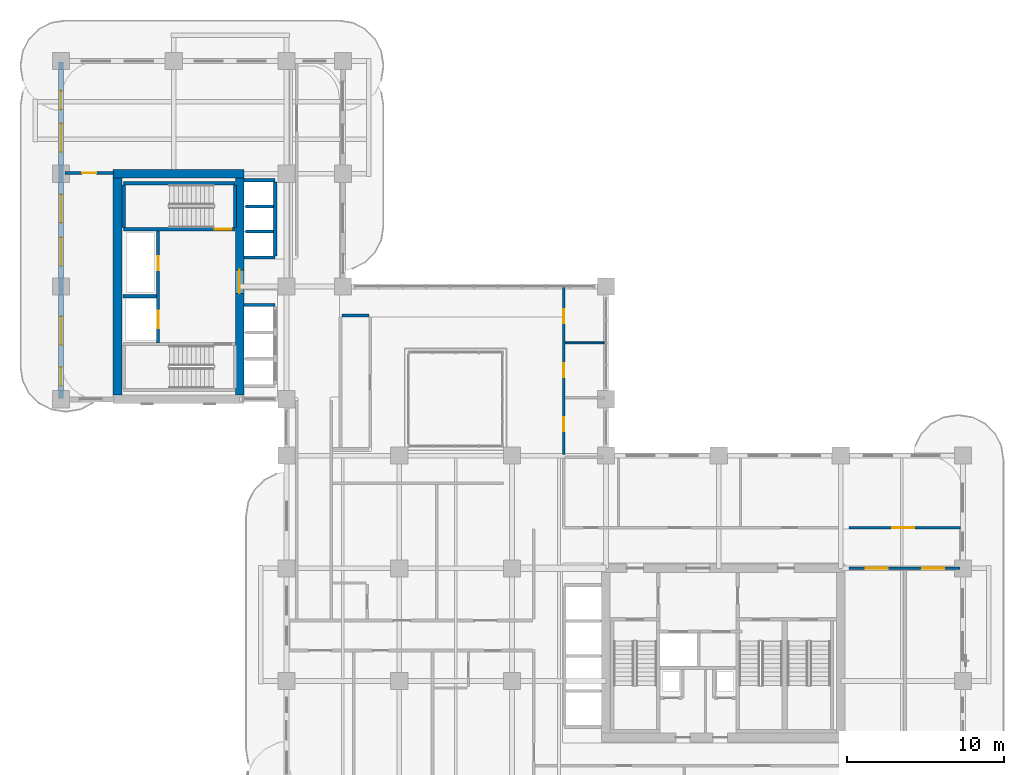
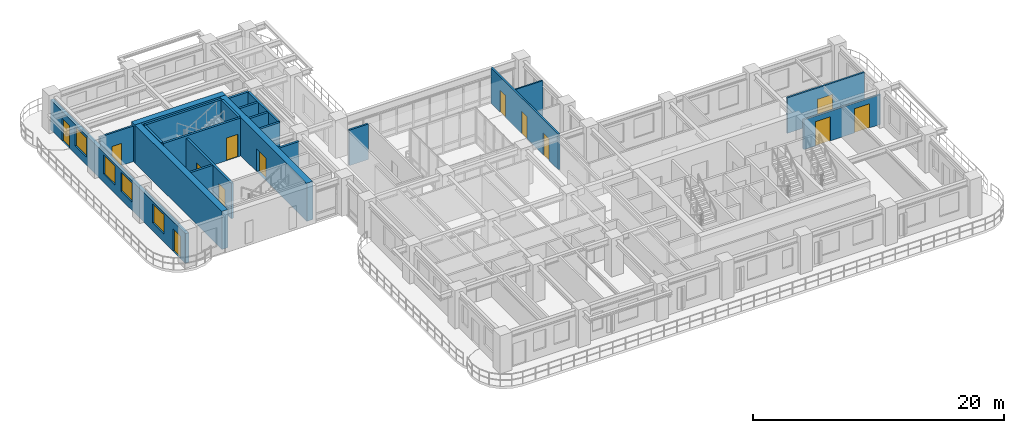
# One storey, part 16 of 22: 22 walls, 13 doors, 4 windows, 17 openings.
"""IFC4 building model written with IfcOpenShell, lengths in metres."""

from ifc_helpers import new_model, si_unit, derived_unit, direction, frame, frame_2d, origin, place, context, subcontext, project, spatial, rectangle, extrude, source, transform, mapped, material, layer, layer_set, type_object, type_shapes, element, fill, save


model = new_model("IFC4")

# Units and contexts
model_context = context("Model", 3, precision=1e-05, world=origin(), true_north=direction((0.0, 1.0)))
body_context = subcontext(model_context, "Body", "Model", "MODEL_VIEW")
ifc_project = project(units=[si_unit("LENGTHUNIT", "METRE"), si_unit("AREAUNIT", "SQUARE_METRE"), si_unit("VOLUMEUNIT", "CUBIC_METRE"), si_unit("PLANEANGLEUNIT", "RADIAN"), si_unit("MASSUNIT", "GRAM", prefix="KILO"), si_unit("THERMODYNAMICTEMPERATUREUNIT", "KELVIN"), si_unit("POWERUNIT", "WATT"), derived_unit("THERMALTRANSMITTANCEUNIT", [(si_unit("POWERUNIT", "WATT"), 1), (si_unit("AREAUNIT", "SQUARE_METRE"), -1), (si_unit("THERMODYNAMICTEMPERATUREUNIT", "KELVIN"), -1)])], contexts=[model_context])

# Site, building, storey
site_placement = place(None, origin())
site = spatial("IfcSite", under=ifc_project, at=site_placement, CompositionType="ELEMENT")
building_placement = place(site_placement, origin())
building = spatial("IfcBuilding", under=site, at=building_placement, Name="Zahravan Archway Hotel and Residences", CompositionType="ELEMENT")
storey_placement = place(building_placement, frame((0.0, 0.0, 99.0)))
storey = spatial("IfcBuildingStorey", under=building, at=storey_placement, Name="L24", CompositionType="ELEMENT", Elevation=99.0)

# Walls
ifc_material_1 = material(Name="Concrete C70/85", Category="concrete")
ifc_layer_1 = layer(ifc_material_1, 0.550048828125, Name="Concrete C70/85", Category="concrete")
ifc_layer_set_1 = layer_set([ifc_layer_1], Name="Concrete C70/85")
wall_type_1 = type_object("IfcWallType", Name="CW-CORE-550", PredefinedType="SHEAR", material=ifc_layer_set_1)
wall_1_placement = place(storey_placement, frame((3.324951171875, 39.60009765625, 0.0), z_axis=(0.0, 0.0, 1.0), x_axis=(1.0, 0.0, 0.0)))
element("IfcWall", 1, at=wall_1_placement, inside=storey, type_object=wall_type_1, Name="L24 Core B Shear N Wall 550 mm", PredefinedType="SHEAR", context=body_context, shape_type="SweptSolid", body=[
    extrude(rectangle(XDim=8.35009765625, YDim=0.550048828125, at=frame_2d((4.175048828125, 0.0))), origin(), (0.0, 0.0, 1.0), 3.699951171875),
])
wall_2_placement = place(storey_placement, frame((3.60009765625, 25.47509765625, 0.0), z_axis=(0.0, 0.0, 1.0), x_axis=(0.0, 1.0, 0.0)))
element("IfcWall", 2, at=wall_2_placement, inside=storey, type_object=wall_type_1, Name="L24 Core B Shear W Wall 550 mm", PredefinedType="SHEAR", context=body_context, shape_type="SweptSolid", body=[
    extrude(rectangle(XDim=13.849853515625, YDim=0.550048828125, at=frame_2d((6.9248046875, 0.0))), origin(), (0.0, 0.0, 1.0), 3.699951171875),
])

# Wall, opening, door
wall_3_placement = place(storey_placement, frame((11.39990234375, 25.47509765625, 0.0), z_axis=(0.0, 0.0, 1.0), x_axis=(0.0, 1.0, 0.0)))
wall_3 = element("IfcWall", 3, at=wall_3_placement, inside=storey, type_object=wall_type_1, Name="L24 Core B Shear E Wall 550 mm", PredefinedType="SHEAR", context=body_context, shape_type="SweptSolid", body=[
    extrude(rectangle(XDim=13.849853515625, YDim=0.550048828125, at=frame_2d((6.9248046875, 0.0))), origin(), (0.0, 0.0, 1.0), 3.699951171875),
])
opening_1_placement = place(wall_3_placement, frame((6.4951171875, 0.0, 0.0)))
opening_1 = element("IfcOpeningElement", 4, at=opening_1_placement, cuts=wall_3, Name="Opening FD-L1", PredefinedType="OPENING", context=body_context, shape_type="SweptSolid", body=[
    extrude(rectangle(XDim=1.5, YDim=2.199951171875, at=frame_2d((0.75, 1.10009765625))), frame((0.0, 0.28515625, 0.0), z_axis=(0.0, -1.0, 0.0), x_axis=(1.0, 0.0, 0.0)), (0.0, 0.0, 1.0), 0.570068359375),
])
ifc_material_2 = material(Name="Fire-Rated Painted Steel", Category="steel")
door_type_1 = type_object("IfcDoorType", Name="FD-LOBBY-1500", OperationType="DOUBLE_DOOR_SINGLE_SWING", PredefinedType="DOOR", material=ifc_material_2)
shared_shape_1 = source(origin(), body_context, "Body", "SweptSolid", [
    extrude(rectangle(XDim=1.5, YDim=2.199951171875, at=frame_2d((0.75, 1.10009765625))), frame((0.0, 0.02490234375, 0.0), z_axis=(0.0, -1.0, 0.0), x_axis=(1.0, 0.0, 0.0)), (0.0, 0.0, 1.0), 0.050048828125),
])
type_shapes(door_type_1, [shared_shape_1])
door_1_placement = place(opening_1_placement, origin())
door_1 = element("IfcDoor", 5, at=door_1_placement, inside=storey, type_object=door_type_1, Name="L24 Core B FSAE Lobby Door", OperationType="DOUBLE_DOOR_SINGLE_SWING", OverallHeight=2.199951171875, OverallWidth=1.5, PredefinedType="DOOR", context=body_context, shape_type="MappedRepresentation", body=[
    mapped(shared_shape_1, transform((0.0, 0.0, 0.0), scale=1.0)),
])
fill(opening_1, door_1)

# Wall, openings, doors, windows
ifc_material_3 = material(Name="Agra Buff Sandstone & Insulated Backup", Category="masonry")
ifc_layer_2 = layer(ifc_material_3, 0.320068359375, Name="Agra Buff Sandstone & Insulated Backup", Category="masonry")
ifc_layer_set_2 = layer_set([ifc_layer_2], Name="Agra Buff Sandstone & Insulated Backup")
wall_type_2 = type_object("IfcWallType", Name="EW-SAND-320", PredefinedType="SOLIDWALL", material=ifc_layer_set_2)
wall_4_placement = place(storey_placement, frame((0.0, 25.25, 0.0), z_axis=(0.0, 0.0, 1.0), x_axis=(0.0, 1.0, 0.0)))
wall_4 = element("IfcWall", 6, at=wall_4_placement, inside=storey, type_object=wall_type_2, Name="L24 Exterior Sandstone Wall WB-W", PredefinedType="SOLIDWALL", context=body_context, shape_type="SweptSolid", body=[
    extrude(rectangle(XDim=21.5, YDim=0.320068359375, at=frame_2d((10.75, 0.0))), origin(), (0.0, 0.0, 1.0), 2.885009765625),
])
opening_2_placement = place(wall_4_placement, frame((18.449951171875, 0.0, 0.0)))
opening_2 = element("IfcOpeningElement", 7, at=opening_2_placement, cuts=wall_4, Name="Opening ED-BL1", PredefinedType="OPENING", context=body_context, shape_type="SweptSolid", body=[
    extrude(rectangle(XDim=1.199951171875, YDim=2.199951171875, at=frame_2d((0.60009765625, 1.10009765625))), frame((0.0, 0.169921875, 0.0), z_axis=(0.0, -1.0, 0.0), x_axis=(1.0, 0.0, 0.0)), (0.0, 0.0, 1.0), 0.340087890625),
])
opening_3_placement = place(wall_4_placement, frame((0.800048828125, 0.0, 0.0)))
opening_3 = element("IfcOpeningElement", 8, at=opening_3_placement, cuts=wall_4, Name="Opening ED-BL1", PredefinedType="OPENING", context=body_context, shape_type="SweptSolid", body=[
    extrude(rectangle(XDim=1.199951171875, YDim=2.199951171875, at=frame_2d((0.60009765625, 1.10009765625))), frame((0.0, 0.169921875, 0.0), z_axis=(0.0, -1.0, 0.0), x_axis=(1.0, 0.0, 0.0)), (0.0, 0.0, 1.0), 0.340087890625),
])
opening_4_placement = place(wall_4_placement, frame((3.425048828125, 0.0, 0.800048828125)))
opening_4 = element("IfcOpeningElement", 9, at=opening_4_placement, cuts=wall_4, Name="Opening W-02", PredefinedType="OPENING", context=body_context, shape_type="SweptSolid", body=[
    extrude(rectangle(XDim=1.800048828125, YDim=1.85009765625, at=frame_2d((0.89990234375, 0.925048828125))), frame((0.0, 0.169921875, 0.0), z_axis=(0.0, -1.0, 0.0), x_axis=(1.0, 0.0, 0.0)), (0.0, 0.0, 1.0), 0.340087890625),
])
opening_5_placement = place(wall_4_placement, frame((8.47509765625, 0.0, 0.800048828125)))
opening_5 = element("IfcOpeningElement", 10, at=opening_5_placement, cuts=wall_4, Name="Opening W-02", PredefinedType="OPENING", context=body_context, shape_type="SweptSolid", body=[
    extrude(rectangle(XDim=1.800048828125, YDim=1.85009765625, at=frame_2d((0.89990234375, 0.925048828125))), frame((0.0, 0.169921875, 0.0), z_axis=(0.0, -1.0, 0.0), x_axis=(1.0, 0.0, 0.0)), (0.0, 0.0, 1.0), 0.340087890625),
])
opening_6_placement = place(wall_4_placement, frame((11.22509765625, 0.0, 0.800048828125)))
opening_6 = element("IfcOpeningElement", 11, at=opening_6_placement, cuts=wall_4, Name="Opening W-02", PredefinedType="OPENING", context=body_context, shape_type="SweptSolid", body=[
    extrude(rectangle(XDim=1.800048828125, YDim=1.85009765625, at=frame_2d((0.89990234375, 0.925048828125))), frame((0.0, 0.169921875, 0.0), z_axis=(0.0, -1.0, 0.0), x_axis=(1.0, 0.0, 0.0)), (0.0, 0.0, 1.0), 0.340087890625),
])
opening_7_placement = place(wall_4_placement, frame((15.75, 0.0, 0.800048828125)))
opening_7 = element("IfcOpeningElement", 12, at=opening_7_placement, cuts=wall_4, Name="Opening W-02", PredefinedType="OPENING", context=body_context, shape_type="SweptSolid", body=[
    extrude(rectangle(XDim=1.800048828125, YDim=1.85009765625, at=frame_2d((0.89990234375, 0.925048828125))), frame((0.0, 0.169921875, 0.0), z_axis=(0.0, -1.0, 0.0), x_axis=(1.0, 0.0, 0.0)), (0.0, 0.0, 1.0), 0.340087890625),
])
ifc_material_4 = material(Name="Bronze-Anodized Glazed Aluminium", Category="aluminium")
door_type_2 = type_object("IfcDoorType", Name="ED-BALC-1200", OperationType="SLIDING_TO_LEFT", PredefinedType="DOOR", material=ifc_material_4)
shared_shape_2 = source(origin(), body_context, "Body", "SweptSolid", [
    extrude(rectangle(XDim=1.199951171875, YDim=2.199951171875, at=frame_2d((0.60009765625, 1.10009765625))), frame((0.0, 0.02490234375, 0.0), z_axis=(0.0, -1.0, 0.0), x_axis=(1.0, 0.0, 0.0)), (0.0, 0.0, 1.0), 0.050048828125),
])
type_shapes(door_type_2, [shared_shape_2])
door_2_placement = place(opening_2_placement, origin())
door_2 = element("IfcDoor", 13, at=door_2_placement, inside=storey, type_object=door_type_2, Name="L24 Outdoor Access Sliding Door (SLB-BAL-L24-NB)", OperationType="SLIDING_TO_LEFT", OverallHeight=2.199951171875, OverallWidth=1.199951171875, PredefinedType="DOOR", context=body_context, shape_type="MappedRepresentation", body=[
    mapped(shared_shape_2, transform((0.0, 0.0, 0.0), scale=1.0)),
])
fill(opening_2, door_2)
door_3_placement = place(opening_3_placement, origin())
door_3 = element("IfcDoor", 14, at=door_3_placement, inside=storey, type_object=door_type_2, Name="L24 Outdoor Access Sliding Door (SLB-BAL-L24-WB)", OperationType="SLIDING_TO_LEFT", OverallHeight=2.199951171875, OverallWidth=1.199951171875, PredefinedType="DOOR", context=body_context, shape_type="MappedRepresentation", body=[
    mapped(shared_shape_2, transform((0.0, 0.0, 0.0), scale=1.0)),
])
fill(opening_3, door_3)
ifc_material_5 = material(Name="Bronze-Anodized Thermal-Break Aluminium & Low-E Glass", Category="aluminium")
window_type = type_object("IfcWindowType", Name="WIN-TWR-1800", PartitioningType="DOUBLE_PANEL_VERTICAL", PredefinedType="WINDOW", material=ifc_material_5)
shared_shape_3 = source(origin(), body_context, "Body", "SweptSolid", [
    extrude(rectangle(XDim=1.800048828125, YDim=1.85009765625, at=frame_2d((0.89990234375, 0.925048828125))), frame((0.0, 0.030029296875, 0.0), z_axis=(0.0, -1.0, 0.0), x_axis=(1.0, 0.0, 0.0)), (0.0, 0.0, 1.0), 0.06005859375),
])
type_shapes(window_type, [shared_shape_3])
window_1_placement = place(opening_4_placement, origin())
window_1 = element("IfcWindow", 15, at=window_1_placement, inside=storey, type_object=window_type, Name="L24 Loggia Window 30", OverallHeight=1.85009765625, OverallWidth=1.800048828125, PartitioningType="DOUBLE_PANEL_VERTICAL", PredefinedType="WINDOW", context=body_context, shape_type="MappedRepresentation", body=[
    mapped(shared_shape_3, transform((0.0, 0.0, 0.0), scale=1.0)),
])
fill(opening_4, window_1)
window_2_placement = place(opening_5_placement, origin())
window_2 = element("IfcWindow", 16, at=window_2_placement, inside=storey, type_object=window_type, Name="L24 Loggia Window 31", OverallHeight=1.85009765625, OverallWidth=1.800048828125, PartitioningType="DOUBLE_PANEL_VERTICAL", PredefinedType="WINDOW", context=body_context, shape_type="MappedRepresentation", body=[
    mapped(shared_shape_3, transform((0.0, 0.0, 0.0), scale=1.0)),
])
fill(opening_5, window_2)
window_3_placement = place(opening_6_placement, origin())
window_3 = element("IfcWindow", 17, at=window_3_placement, inside=storey, type_object=window_type, Name="L24 Loggia Window 32", OverallHeight=1.85009765625, OverallWidth=1.800048828125, PartitioningType="DOUBLE_PANEL_VERTICAL", PredefinedType="WINDOW", context=body_context, shape_type="MappedRepresentation", body=[
    mapped(shared_shape_3, transform((0.0, 0.0, 0.0), scale=1.0)),
])
fill(opening_6, window_3)
window_4_placement = place(opening_7_placement, origin())
window_4 = element("IfcWindow", 18, at=window_4_placement, inside=storey, type_object=window_type, Name="L24 Loggia Window 33", OverallHeight=1.85009765625, OverallWidth=1.800048828125, PartitioningType="DOUBLE_PANEL_VERTICAL", PredefinedType="WINDOW", context=body_context, shape_type="MappedRepresentation", body=[
    mapped(shared_shape_3, transform((0.0, 0.0, 0.0), scale=1.0)),
])
fill(opening_7, window_4)

# Wall, opening, door
ifc_material_6 = material(Name="Fire-Rated Gypsum & Concrete Block", Category="concrete")
ifc_layer_3 = layer(ifc_material_6, 0.159912109375, Name="Fire-Rated Gypsum & Concrete Block", Category="concrete")
ifc_layer_set_3 = layer_set([ifc_layer_3], Name="Fire-Rated Gypsum & Concrete Block")
wall_type_3 = type_object("IfcWallType", Name="PW-CORR-160", PredefinedType="PARTITIONING", material=ifc_layer_set_3)
wall_5_placement = place(storey_placement, frame((50.340087890625, 17.0, 0.0), z_axis=(0.0, 0.0, 1.0), x_axis=(1.0, 0.0, 0.0)))
wall_5 = element("IfcWall", 19, at=wall_5_placement, inside=storey, type_object=wall_type_3, Name="L24 Partition EA-PN", PredefinedType="PARTITIONING", context=body_context, shape_type="SweptSolid", body=[
    extrude(rectangle(XDim=7.091796875, YDim=0.159912109375, at=frame_2d((3.5458984375, 0.0))), origin(), (0.0, 0.0, 1.0), 3.449951171875),
])
opening_8_placement = place(wall_5_placement, frame((2.760009765625, 0.0, 0.0)))
opening_8 = element("IfcOpeningElement", 20, at=opening_8_placement, cuts=wall_5, Name="Opening D-P1", PredefinedType="OPENING", context=body_context, shape_type="SweptSolid", body=[
    extrude(rectangle(XDim=1.39990234375, YDim=2.35009765625, at=frame_2d((0.699951171875, 1.175048828125))), frame((0.0, 0.08984375, 0.0), z_axis=(0.0, -1.0, 0.0), x_axis=(1.0, 0.0, 0.0)), (0.0, 0.0, 1.0), 0.179931640625),
])
door_type_3 = type_object("IfcDoorType", Name="ID-PUBLIC-1400", OperationType="DOUBLE_DOOR_SINGLE_SWING", PredefinedType="DOOR", material=ifc_material_4)
shared_shape_4 = source(origin(), body_context, "Body", "SweptSolid", [
    extrude(rectangle(XDim=1.39990234375, YDim=2.35009765625, at=frame_2d((0.699951171875, 1.175048828125))), frame((0.0, 0.02490234375, 0.0), z_axis=(0.0, -1.0, 0.0), x_axis=(1.0, 0.0, 0.0)), (0.0, 0.0, 1.0), 0.050048828125),
])
type_shapes(door_type_3, [shared_shape_4])
door_4_placement = place(opening_8_placement, origin())
door_4 = element("IfcDoor", 21, at=door_4_placement, inside=storey, type_object=door_type_3, Name="L24 East Fitness Studio Door", OperationType="DOUBLE_DOOR_SINGLE_SWING", OverallHeight=2.35009765625, OverallWidth=1.39990234375, PredefinedType="DOOR", context=body_context, shape_type="MappedRepresentation", body=[
    mapped(shared_shape_4, transform((0.0, 0.0, 0.0), scale=1.0)),
])
fill(opening_8, door_4)

# Wall
ifc_material_7 = material(Name="Acoustic Stud Partition")
ifc_layer_4 = layer(ifc_material_7, 0.125, Name="Acoustic Stud Partition")
ifc_layer_set_4 = layer_set([ifc_layer_4], Name="Acoustic Stud Partition")
wall_type_4 = type_object("IfcWallType", Name="PW-INT-125", PredefinedType="PARTITIONING", material=ifc_layer_set_4)
wall_6_placement = place(storey_placement, frame((32.18994140625, 28.800048828125, 0.0), z_axis=(0.0, 0.0, 1.0), x_axis=(1.0, 0.0, 0.0)))
element("IfcWall", 22, at=wall_6_placement, inside=storey, type_object=wall_type_4, Name="L24 Partition ATR-EM3B", PredefinedType="PARTITIONING", context=body_context, shape_type="SweptSolid", body=[
    extrude(rectangle(XDim=2.5, YDim=0.125, at=frame_2d((1.25, 0.0))), origin(), (0.0, 0.0, 1.0), 3.449951171875),
])

# Wall, openings, doors
ifc_layer_5 = layer(ifc_material_6, 0.199951171875, Name="Fire-Rated Gypsum & Concrete Block", Category="concrete")
ifc_layer_set_5 = layer_set([ifc_layer_5], Name="Fire-Rated Gypsum & Concrete Block")
wall_type_5 = type_object("IfcWallType", Name="PW-SHAFT-200", PredefinedType="PARTITIONING", material=ifc_layer_set_5)
wall_7_placement = place(storey_placement, frame((6.199951171875, 28.7900390625, 0.0), z_axis=(0.0, 0.0, 1.0), x_axis=(0.0, 1.0, 0.0)))
wall_7 = element("IfcWall", 23, at=wall_7_placement, inside=storey, type_object=wall_type_5, Name="L24 Partition CB-FL3E", PredefinedType="PARTITIONING", context=body_context, shape_type="SweptSolid", body=[
    extrude(rectangle(XDim=7.219970703125, YDim=0.199951171875, at=frame_2d((3.60986328125, 0.0))), origin(), (0.0, 0.0, 1.0), 3.449951171875),
])
opening_9_placement = place(wall_7_placement, frame((4.659912109375, 0.0, 0.0)))
opening_9 = element("IfcOpeningElement", 24, at=opening_9_placement, cuts=wall_7, Name="Opening FD-R1", PredefinedType="OPENING", context=body_context, shape_type="SweptSolid", body=[
    extrude(rectangle(XDim=0.89990234375, YDim=2.10009765625, at=frame_2d((0.449951171875, 1.050048828125))), frame((0.0, 0.10986328125, 0.0), z_axis=(0.0, -1.0, 0.0), x_axis=(1.0, 0.0, 0.0)), (0.0, 0.0, 1.0), 0.219970703125),
])
opening_10_placement = place(wall_7_placement, frame((0.9599609375, 0.0, 0.0)))
opening_10 = element("IfcOpeningElement", 25, at=opening_10_placement, cuts=wall_7, Name="Opening LD", PredefinedType="OPENING", context=body_context, shape_type="SweptSolid", body=[
    extrude(rectangle(XDim=1.10009765625, YDim=2.199951171875, at=frame_2d((0.550048828125, 1.10009765625))), frame((0.0, 0.10986328125, 0.0), z_axis=(0.0, -1.0, 0.0), x_axis=(1.0, 0.0, 0.0)), (0.0, 0.0, 1.0), 0.219970703125),
])
door_type_4 = type_object("IfcDoorType", Name="FD-RISER-900", OperationType="NOTDEFINED", PredefinedType="DOOR", material=ifc_material_2)
shared_shape_5 = source(origin(), body_context, "Body", "SweptSolid", [
    extrude(rectangle(XDim=0.89990234375, YDim=2.10009765625, at=frame_2d((0.449951171875, 1.050048828125))), frame((0.0, 0.02490234375, 0.0), z_axis=(0.0, -1.0, 0.0), x_axis=(1.0, 0.0, 0.0)), (0.0, 0.0, 1.0), 0.050048828125),
])
type_shapes(door_type_4, [shared_shape_5])
door_5_placement = place(opening_9_placement, origin())
door_5 = element("IfcDoor", 26, at=door_5_placement, inside=storey, type_object=door_type_4, Name="L24 Core B Riser Door", OperationType="SINGLE_SWING_RIGHT", OverallHeight=2.10009765625, OverallWidth=0.89990234375, PredefinedType="DOOR", context=body_context, shape_type="MappedRepresentation", body=[
    mapped(shared_shape_5, transform((0.0, 0.0, 0.0), scale=1.0)),
])
fill(opening_9, door_5)
ifc_material_8 = material(Name="Brushed Stainless Steel", Category="steel")
door_type_5 = type_object("IfcDoorType", Name="DR-LIFT-LD", OperationType="SLIDING_TO_LEFT", PredefinedType="DOOR", material=ifc_material_8)
shared_shape_6 = source(origin(), body_context, "Body", "SweptSolid", [
    extrude(rectangle(XDim=1.10009765625, YDim=2.199951171875, at=frame_2d((0.550048828125, 1.10009765625))), frame((0.0, 0.02490234375, 0.0), z_axis=(0.0, -1.0, 0.0), x_axis=(1.0, 0.0, 0.0)), (0.0, 0.0, 1.0), 0.050048828125),
])
type_shapes(door_type_5, [shared_shape_6])
door_6_placement = place(opening_10_placement, origin())
door_6 = element("IfcDoor", 27, at=door_6_placement, inside=storey, type_object=door_type_5, Name="L24 Lift FL-3 Sliding Landing Door", OperationType="SLIDING_TO_LEFT", OverallHeight=2.199951171875, OverallWidth=1.10009765625, PredefinedType="DOOR", context=body_context, shape_type="MappedRepresentation", body=[
    mapped(shared_shape_6, transform((0.0, 0.0, 0.0), scale=1.0)),
])
fill(opening_10, door_6)

# Walls
wall_8_placement = place(storey_placement, frame((3.9599609375, 31.780029296875, 0.0), z_axis=(0.0, 0.0, 1.0), x_axis=(1.0, 0.0, 0.0)))
element("IfcWall", 28, at=wall_8_placement, inside=storey, type_object=wall_type_5, Name="L24 Partition CB-FL3N", PredefinedType="PARTITIONING", context=body_context, shape_type="SweptSolid", body=[
    extrude(rectangle(XDim=2.130126953125, YDim=0.199951171875, at=frame_2d((1.06494140625, 0.0))), origin(), (0.0, 0.0, 1.0), 3.449951171875),
])
for number, where, z_axis, x_axis, name in (
    (29, (11.68505859375, 31.2099609375, 0.0), (0.0, 0.0, 1.0), (1.0, 0.0, 0.0), "L24 Partition B1-N"),
    (30, (11.68505859375, 34.25, 0.0), (0.0, 0.0, 1.0), (1.0, 0.0, 0.0), "L24 Partition B2-S"),
    (31, (11.68505859375, 39.18994140625, 0.0), (0.0, 0.0, 1.0), (1.0, 0.0, 0.0), "L24 Partition B2-N"),
):
    element("IfcWall", number, at=place(storey_placement, frame(where, z_axis=z_axis, x_axis=x_axis)), inside=storey, type_object=wall_type_5, Name=name, PredefinedType="PARTITIONING", context=body_context, shape_type="SweptSolid", body=[
        extrude(rectangle(XDim=1.98486328125, YDim=0.199951171875, at=frame_2d((0.992431640625, 0.0))), origin(), (0.0, 0.0, 1.0), 3.449951171875),
    ])
wall_9_placement = place(storey_placement, frame((13.679931640625, 34.360107421875, 0.0), z_axis=(0.0, 0.0, 1.0), x_axis=(0.0, 1.0, 0.0)))
element("IfcWall", 32, at=wall_9_placement, inside=storey, type_object=wall_type_5, Name="L24 Partition B2-E", PredefinedType="PARTITIONING", context=body_context, shape_type="SweptSolid", body=[
    extrude(rectangle(XDim=4.719970703125, YDim=0.199951171875, at=frame_2d((2.35986328125, 0.0))), origin(), (0.0, 0.0, 1.0), 3.449951171875),
])
for number, where, z_axis, x_axis, name in (
    (33, (11.784912109375, 35.919921875, 0.0), (0.0, 0.0, 1.0), (1.0, 0.0, 0.0), "L24 Partition B2-D"),
    (34, (11.784912109375, 37.52001953125, 0.0), (0.0, 0.0, 1.0), (1.0, 0.0, 0.0), "L24 Partition B2-D"),
):
    element("IfcWall", number, at=place(storey_placement, frame(where, z_axis=z_axis, x_axis=x_axis)), inside=storey, type_object=wall_type_5, Name=name, PredefinedType="PARTITIONING", context=body_context, shape_type="SweptSolid", body=[
        extrude(rectangle(XDim=1.78515625, YDim=0.199951171875, at=frame_2d((0.892578125, 0.0))), origin(), (0.0, 0.0, 1.0), 3.449951171875),
    ])

# Wall, openings, doors
ifc_layer_6 = layer(ifc_material_7, 0.169921875, Name="Acoustic Stud Partition")
ifc_layer_set_6 = layer_set([ifc_layer_6], Name="Acoustic Stud Partition")
wall_type_6 = type_object("IfcWallType", Name="PW-UNIT-170", PredefinedType="PARTITIONING", material=ifc_layer_set_6)
wall_10_placement = place(storey_placement, frame((50.340087890625, 14.39990234375, 0.0), z_axis=(0.0, 0.0, 1.0), x_axis=(1.0, 0.0, 0.0)))
wall_10 = element("IfcWall", 35, at=wall_10_placement, inside=storey, type_object=wall_type_6, Name="L24 Partition EA-PS", PredefinedType="PARTITIONING", context=body_context, shape_type="SweptSolid", body=[
    extrude(rectangle(XDim=7.06982421875, YDim=0.169921875, at=frame_2d((3.534912109375, 0.0))), origin(), (0.0, 0.0, 1.0), 2.885009765625),
])
opening_11_placement = place(wall_10_placement, frame((1.06005859375, 0.0, 0.0)))
opening_11 = element("IfcOpeningElement", 36, at=opening_11_placement, cuts=wall_10, Name="Opening D-P1", PredefinedType="OPENING", context=body_context, shape_type="SweptSolid", body=[
    extrude(rectangle(XDim=1.39990234375, YDim=2.35009765625, at=frame_2d((0.699951171875, 1.175048828125))), frame((0.0, 0.094970703125, 0.0), z_axis=(0.0, -1.0, 0.0), x_axis=(1.0, 0.0, 0.0)), (0.0, 0.0, 1.0), 0.18994140625),
])
opening_12_placement = place(wall_10_placement, frame((4.659912109375, 0.0, 0.0)))
opening_12 = element("IfcOpeningElement", 37, at=opening_12_placement, cuts=wall_10, Name="Opening D-P1", PredefinedType="OPENING", context=body_context, shape_type="SweptSolid", body=[
    extrude(rectangle(XDim=1.39990234375, YDim=2.35009765625, at=frame_2d((0.699951171875, 1.175048828125))), frame((0.0, 0.094970703125, 0.0), z_axis=(0.0, -1.0, 0.0), x_axis=(1.0, 0.0, 0.0)), (0.0, 0.0, 1.0), 0.18994140625),
])
door_7_placement = place(opening_11_placement, origin())
door_7 = element("IfcDoor", 38, at=door_7_placement, inside=storey, type_object=door_type_3, Name="L24 East Conference Room Door", OperationType="DOUBLE_DOOR_SINGLE_SWING", OverallHeight=2.35009765625, OverallWidth=1.39990234375, PredefinedType="DOOR", context=body_context, shape_type="MappedRepresentation", body=[
    mapped(shared_shape_4, transform((0.0, 0.0, 0.0), scale=1.0)),
])
fill(opening_11, door_7)
door_8_placement = place(opening_12_placement, origin())
door_8 = element("IfcDoor", 39, at=door_8_placement, inside=storey, type_object=door_type_3, Name="L24 East Salon Door", OperationType="DOUBLE_DOOR_SINGLE_SWING", OverallHeight=2.35009765625, OverallWidth=1.39990234375, PredefinedType="DOOR", context=body_context, shape_type="MappedRepresentation", body=[
    mapped(shared_shape_4, transform((0.0, 0.0, 0.0), scale=1.0)),
])
fill(opening_12, door_8)

# Wall, opening, door
wall_11_placement = place(storey_placement, frame((0.239990234375, 39.64990234375, 0.0), z_axis=(0.0, 0.0, 1.0), x_axis=(1.0, 0.0, 0.0)))
wall_11 = element("IfcWall", 40, at=wall_11_placement, inside=storey, type_object=wall_type_6, Name="L24 Partition WBW-N", PredefinedType="PARTITIONING", context=body_context, shape_type="SweptSolid", body=[
    extrude(rectangle(XDim=3.1201171875, YDim=0.169921875, at=frame_2d((1.56005859375, 0.0))), origin(), (0.0, 0.0, 1.0), 3.449951171875),
])
opening_13_placement = place(wall_11_placement, frame((1.110107421875, 0.0, 0.0)))
opening_13 = element("IfcOpeningElement", 41, at=opening_13_placement, cuts=wall_11, Name="Opening D-I2", PredefinedType="OPENING", context=body_context, shape_type="SweptSolid", body=[
    extrude(rectangle(XDim=0.89990234375, YDim=2.14990234375, at=frame_2d((0.449951171875, 1.074951171875))), frame((0.0, 0.094970703125, 0.0), z_axis=(0.0, -1.0, 0.0), x_axis=(1.0, 0.0, 0.0)), (0.0, 0.0, 1.0), 0.18994140625),
])
ifc_material_9 = material(Name="Hardwood Veneer Timber", Category="wood")
door_type_6 = type_object("IfcDoorType", Name="ID-INT-900", OperationType="NOTDEFINED", PredefinedType="DOOR", material=ifc_material_9)
shared_shape_7 = source(origin(), body_context, "Body", "SweptSolid", [
    extrude(rectangle(XDim=0.89990234375, YDim=2.14990234375, at=frame_2d((0.449951171875, 1.074951171875))), frame((0.0, 0.02490234375, 0.0), z_axis=(0.0, -1.0, 0.0), x_axis=(1.0, 0.0, 0.0)), (0.0, 0.0, 1.0), 0.050048828125),
])
type_shapes(door_type_6, [shared_shape_7])
door_9_placement = place(opening_13_placement, origin())
door_9 = element("IfcDoor", 42, at=door_9_placement, inside=storey, type_object=door_type_6, Name="L24 West Loggia Salon Door", OperationType="SINGLE_SWING_RIGHT", OverallHeight=2.14990234375, OverallWidth=0.89990234375, PredefinedType="DOOR", context=body_context, shape_type="MappedRepresentation", body=[
    mapped(shared_shape_7, transform((0.0, 0.0, 0.0), scale=1.0)),
])
fill(opening_13, door_9)

# Wall
wall_12_placement = place(storey_placement, frame((17.93994140625, 30.550048828125, 0.0), z_axis=(0.0, 0.0, 1.0), x_axis=(1.0, 0.0, 0.0)))
element("IfcWall", 43, at=wall_12_placement, inside=storey, type_object=wall_type_6, Name="L24 Partition ATR-WLN", PredefinedType="PARTITIONING", context=body_context, shape_type="SweptSolid", body=[
    extrude(rectangle(XDim=1.719970703125, YDim=0.169921875, at=frame_2d((0.85986328125, 0.0))), origin(), (0.0, 0.0, 1.0), 3.449951171875),
])

# Wall, openings, doors
wall_13_placement = place(storey_placement, frame((32.10009765625, 21.669921875, 0.0), z_axis=(0.0, 0.0, 1.0), x_axis=(0.0, 1.0, 0.0)))
wall_13 = element("IfcWall", 44, at=wall_13_placement, inside=storey, type_object=wall_type_6, Name="L24 Partition ATR-E", PredefinedType="PARTITIONING", context=body_context, shape_type="SweptSolid", body=[
    extrude(rectangle(XDim=10.7021484375, YDim=0.169921875, at=frame_2d((5.35107421875, 0.0))), origin(), (0.0, 0.0, 1.0), 3.449951171875),
])
opening_14_placement = place(wall_13_placement, frame((1.47998046875, 0.0, 0.0)))
opening_14 = element("IfcOpeningElement", 45, at=opening_14_placement, cuts=wall_13, Name="Opening D-I2", PredefinedType="OPENING", context=body_context, shape_type="SweptSolid", body=[
    extrude(rectangle(XDim=0.89990234375, YDim=2.14990234375, at=frame_2d((0.449951171875, 1.074951171875))), frame((0.0, 0.094970703125, 0.0), z_axis=(0.0, -1.0, 0.0), x_axis=(1.0, 0.0, 0.0)), (0.0, 0.0, 1.0), 0.18994140625),
])
opening_15_placement = place(wall_13_placement, frame((4.929931640625, 0.0, 0.0)))
opening_15 = element("IfcOpeningElement", 46, at=opening_15_placement, cuts=wall_13, Name="Opening D-I2", PredefinedType="OPENING", context=body_context, shape_type="SweptSolid", body=[
    extrude(rectangle(XDim=0.89990234375, YDim=2.14990234375, at=frame_2d((0.449951171875, 1.074951171875))), frame((0.0, 0.094970703125, 0.0), z_axis=(0.0, -1.0, 0.0), x_axis=(1.0, 0.0, 0.0)), (0.0, 0.0, 1.0), 0.18994140625),
])
opening_16_placement = place(wall_13_placement, frame((8.3798828125, 0.0, 0.0)))
opening_16 = element("IfcOpeningElement", 47, at=opening_16_placement, cuts=wall_13, Name="Opening D-I2", PredefinedType="OPENING", context=body_context, shape_type="SweptSolid", body=[
    extrude(rectangle(XDim=0.89990234375, YDim=2.14990234375, at=frame_2d((0.449951171875, 1.074951171875))), frame((0.0, 0.094970703125, 0.0), z_axis=(0.0, -1.0, 0.0), x_axis=(1.0, 0.0, 0.0)), (0.0, 0.0, 1.0), 0.18994140625),
])
door_10_placement = place(opening_14_placement, origin())
door_10 = element("IfcDoor", 48, at=door_10_placement, inside=storey, type_object=door_type_6, Name="L24 Atrium Pantry Door", OperationType="SINGLE_SWING_LEFT", OverallHeight=2.14990234375, OverallWidth=0.89990234375, PredefinedType="DOOR", context=body_context, shape_type="MappedRepresentation", body=[
    mapped(shared_shape_7, transform((0.0, 0.0, 0.0), scale=1.0)),
])
fill(opening_14, door_10)
door_11_placement = place(opening_15_placement, origin())
door_11 = element("IfcDoor", 49, at=door_11_placement, inside=storey, type_object=door_type_6, Name="L24 Atrium Study Door", OperationType="SINGLE_SWING_RIGHT", OverallHeight=2.14990234375, OverallWidth=0.89990234375, PredefinedType="DOOR", context=body_context, shape_type="MappedRepresentation", body=[
    mapped(shared_shape_7, transform((0.0, 0.0, 0.0), scale=1.0)),
])
fill(opening_15, door_11)
door_12_placement = place(opening_16_placement, origin())
door_12 = element("IfcDoor", 50, at=door_12_placement, inside=storey, type_object=door_type_6, Name="L24 Atrium Clinic Door", OperationType="SINGLE_SWING_LEFT", OverallHeight=2.14990234375, OverallWidth=0.89990234375, PredefinedType="DOOR", context=body_context, shape_type="MappedRepresentation", body=[
    mapped(shared_shape_7, transform((0.0, 0.0, 0.0), scale=1.0)),
])
fill(opening_16, door_12)

# Walls
ifc_material_10 = material(Name="Concrete C50/60", Category="concrete")
ifc_layer_7 = layer(ifc_material_10, 0.199951171875, Name="Concrete C50/60", Category="concrete")
ifc_layer_set_7 = layer_set([ifc_layer_7], Name="Concrete C50/60")
wall_type_7 = type_object("IfcWallType", Name="SW-STAIR-200", PredefinedType="SHEAR", material=ifc_layer_set_7)
wall_14_placement = place(storey_placement, frame((4.0, 39.0, 0.0), z_axis=(0.0, 0.0, 1.0), x_axis=(1.0, 0.0, 0.0)))
element("IfcWall", 51, at=wall_14_placement, inside=storey, type_object=wall_type_7, Name="L24 Stairwell RC Wall CB-SB2N", PredefinedType="SHEAR", context=body_context, shape_type="SweptSolid", body=[
    extrude(rectangle(XDim=7.10009765625, YDim=0.199951171875, at=frame_2d((3.550048828125, 0.0))), origin(), (0.0, 0.0, 1.0), 3.699951171875),
])
for number, where, z_axis, x_axis, name in (
    (52, (4.0, 36.179931640625, 0.0), (0.0, 0.0, 1.0), (0.0, 1.0, 0.0), "L24 Stairwell RC Wall CB-SB2W"),
    (53, (11.10009765625, 36.179931640625, 0.0), (0.0, 0.0, 1.0), (0.0, 1.0, 0.0), "L24 Stairwell RC Wall CB-SB2E"),
):
    element("IfcWall", number, at=place(storey_placement, frame(where, z_axis=z_axis, x_axis=x_axis)), inside=storey, type_object=wall_type_7, Name=name, PredefinedType="SHEAR", context=body_context, shape_type="SweptSolid", body=[
        extrude(rectangle(XDim=2.699951171875, YDim=0.199951171875, at=frame_2d((1.35009765625, 0.0))), origin(), (0.0, 0.0, 1.0), 3.699951171875),
    ])

# Wall, opening, door
wall_15_placement = place(storey_placement, frame((4.0, 36.06005859375, 0.0), z_axis=(0.0, 0.0, 1.0), x_axis=(1.0, 0.0, 0.0)))
wall_15 = element("IfcWall", 54, at=wall_15_placement, inside=storey, type_object=wall_type_7, Name="L24 Stairwell RC Wall CB-SB2S", PredefinedType="SHEAR", context=body_context, shape_type="SweptSolid", body=[
    extrude(rectangle(XDim=7.10009765625, YDim=0.199951171875, at=frame_2d((3.550048828125, 0.0))), origin(), (0.0, 0.0, 1.0), 3.699951171875),
])
opening_17_placement = place(wall_15_placement, frame((5.81494140625, 0.0, 0.0)))
opening_17 = element("IfcOpeningElement", 55, at=opening_17_placement, cuts=wall_15, Name="Opening FD-S1", PredefinedType="OPENING", context=body_context, shape_type="SweptSolid", body=[
    extrude(rectangle(XDim=1.050048828125, YDim=2.199951171875, at=frame_2d((0.52490234375, 1.10009765625))), frame((0.0, 0.10986328125, 0.0), z_axis=(0.0, -1.0, 0.0), x_axis=(1.0, 0.0, 0.0)), (0.0, 0.0, 1.0), 0.219970703125),
])
door_type_7 = type_object("IfcDoorType", Name="FD-STAIR-1100", OperationType="NOTDEFINED", PredefinedType="DOOR", material=ifc_material_2)
shared_shape_8 = source(origin(), body_context, "Body", "SweptSolid", [
    extrude(rectangle(XDim=1.050048828125, YDim=2.199951171875, at=frame_2d((0.52490234375, 1.10009765625))), frame((0.0, 0.02490234375, 0.0), z_axis=(0.0, -1.0, 0.0), x_axis=(1.0, 0.0, 0.0)), (0.0, 0.0, 1.0), 0.050048828125),
])
type_shapes(door_type_7, [shared_shape_8])
door_13_placement = place(opening_17_placement, origin())
door_13 = element("IfcDoor", 56, at=door_13_placement, inside=storey, type_object=door_type_7, Name="L24 Stair ST-B2 Door", OperationType="SINGLE_SWING_LEFT", OverallHeight=2.199951171875, OverallWidth=1.050048828125, PredefinedType="DOOR", context=body_context, shape_type="MappedRepresentation", body=[
    mapped(shared_shape_8, transform((0.0, 0.0, 0.0), scale=1.0)),
])
fill(opening_17, door_13)

save(model, "model.ifc")
